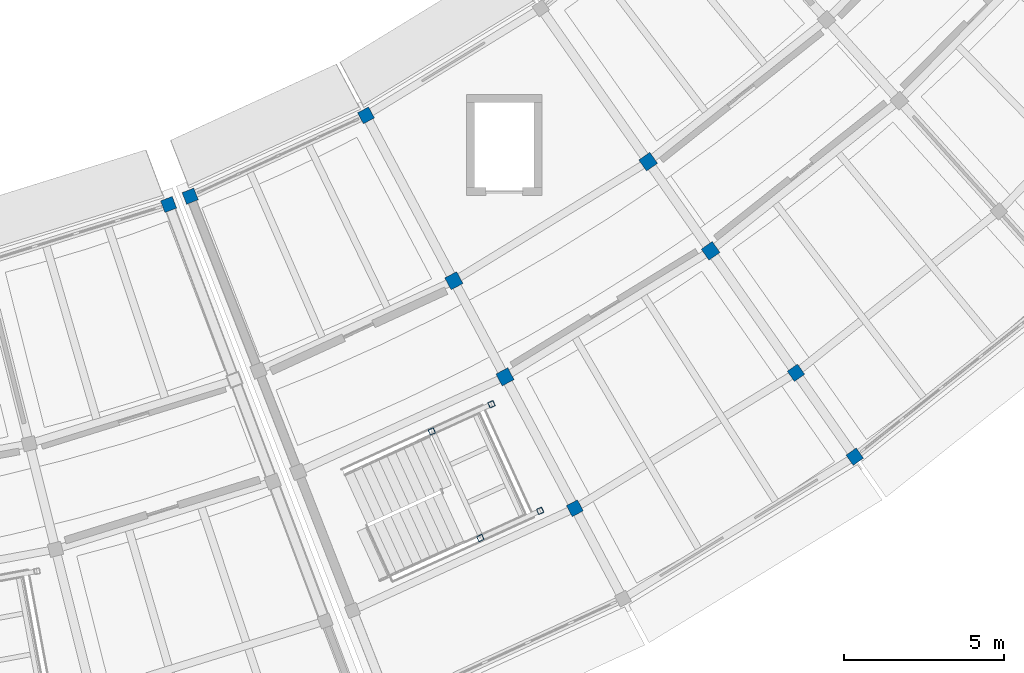
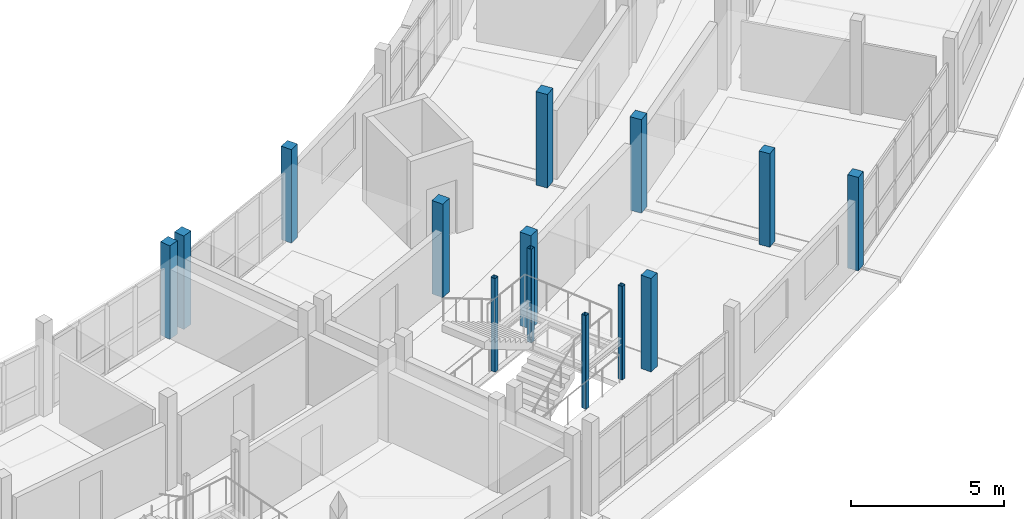
# One storey, part 9 of 66: 14 columns.
"""IFC4 building model written with IfcOpenShell, lengths in metres."""

from ifc_helpers import new_model, si_unit, direction, frame, origin, origin_2d, place, context, subcontext, project, spatial, rectangle, hollow_rectangle, extrude, material, material_profile, profile_set, type_object, element, save


model = new_model("IFC4")

# Units and contexts
model_context = context("Model", 3, precision=1e-05, world=origin(), true_north=direction((0.0, 1.0)))
body_context = subcontext(model_context, "Body", "Model", "MODEL_VIEW")
ifc_project = project(units=[si_unit("LENGTHUNIT", "METRE"), si_unit("AREAUNIT", "SQUARE_METRE"), si_unit("VOLUMEUNIT", "CUBIC_METRE"), si_unit("PLANEANGLEUNIT", "RADIAN"), si_unit("MASSUNIT", "GRAM", prefix="KILO")], contexts=[model_context])

# Site, building, storey
site_placement = place(None, origin())
site = spatial("IfcSite", under=ifc_project, at=site_placement, CompositionType="ELEMENT")
building_placement = place(site_placement, origin())
building = spatial("IfcBuilding", under=site, at=building_placement, Name="Caldaven Crescent School", CompositionType="ELEMENT")
storey_placement = place(building_placement, frame((0.0, 0.0, 8.159912109375)))
storey = spatial("IfcBuildingStorey", under=building, at=storey_placement, Name="L02", CompositionType="ELEMENT", Elevation=8.159912109375)

# Columns
ifc_material_1 = material(Name="Glulam MLE24h (GL28h)", Category="wood")
ifc_material_profile_1 = material_profile(ifc_material_1, rectangle(XDim=0.389892578125, YDim=0.389892578125, at=origin_2d()), Name="MLE 390x390")
ifc_profile_set_1 = profile_set([ifc_material_profile_1], Name="Glulam MLE24h (GL28h)")
column_type_1 = type_object("IfcColumnType", Name="COL-GL39", PredefinedType="COLUMN", material=ifc_profile_set_1)
for number, where, z_axis, x_axis, name in (
    (1, (106.458740234375, 46.905517578125, 0.0), (0.0, 0.0, 1.0), (0.352005016254, -0.93599811353, 0.0), "COL-V5-L02-06-0"),
    (2, (107.133056640625, 47.164306640625, 0.0), (0.0, 0.0, 1.0), (0.364714278886, -0.931119484694, 0.0), "COL-V4E-L02-00-0"),
    (3, (112.623779296875, 49.689453125, 0.0), (0.0, 0.0, 1.0), (0.469471562786, -0.882947592859, 0.0), "COL-V4E-L02-01-0"),
    (4, (119.1494140625, 37.41650390625, 0.0), (0.0, 0.0, 1.0), (0.469471562786, -0.882947592859, 0.0), "COL-V4E-L02-01-3"),
    (5, (126.056884765625, 41.649169921875, 0.0), (0.0, 0.0, 1.0), (0.573576436351, -0.819152044289, 0.0), "COL-V4E-L02-02-3"),
    (6, (127.892333984375, 39.028076171875, 0.0), (0.0, 0.0, 1.0), (0.573576436351, -0.819152044289, 0.0), "COL-V4E-L02-02-4"),
):
    element("IfcColumn", number, at=place(storey_placement, frame(where, z_axis=z_axis, x_axis=x_axis)), inside=storey, type_object=column_type_1, Name=name, PredefinedType="COLUMN", context=body_context, shape_type="SweptSolid", body=[
        extrude(rectangle(XDim=0.389892578125, YDim=0.389892578125, at=origin_2d()), origin(), (0.0, 0.0, 1.0), 3.739990234375),
    ])
ifc_material_profile_2 = material_profile(ifc_material_1, rectangle(XDim=0.419921875, YDim=0.419921875, at=origin_2d()), Name="MLE 420x420")
ifc_profile_set_2 = profile_set([ifc_material_profile_2], Name="Glulam MLE24h (GL28h)")
column_type_2 = type_object("IfcColumnType", Name="COL-GL42", PredefinedType="COLUMN", material=ifc_profile_set_2)
for number, where, z_axis, x_axis, name in (
    (7, (115.3701171875, 44.524169921875, 0.0), (0.0, 0.0, 1.0), (0.469471562786, -0.882947592859, 0.0), "COL-V4E-L02-01-1"),
    (8, (116.96630859375, 41.522216796875, 0.0), (0.0, 0.0, 1.0), (0.469471562786, -0.882947592859, 0.0), "COL-V4E-L02-01-2"),
    (9, (121.439453125, 48.243408203125, 0.0), (0.0, 0.0, 1.0), (0.573576436351, -0.819152044289, 0.0), "COL-V4E-L02-02-1"),
    (10, (123.3896484375, 45.458251953125, 0.0), (0.0, 0.0, 1.0), (0.573576436351, -0.819152044289, 0.0), "COL-V4E-L02-02-2"),
):
    element("IfcColumn", number, at=place(storey_placement, frame(where, z_axis=z_axis, x_axis=x_axis)), inside=storey, type_object=column_type_2, Name=name, PredefinedType="COLUMN", context=body_context, shape_type="SweptSolid", body=[
        extrude(rectangle(XDim=0.419921875, YDim=0.419921875, at=origin_2d()), origin(), (0.0, 0.0, 1.0), 3.739990234375),
    ])
ifc_material_2 = material(Name="Steel ASTM A572 Grade 50", Category="steel")
ifc_material_profile_3 = material_profile(ifc_material_2, hollow_rectangle(XDim=0.179931640625, YDim=0.179931640625, WallThickness=0.010009765625, InnerFilletRadius=0.010009765625, OuterFilletRadius=0.02001953125, at=origin_2d()), Name="HSS 180x180x10")
ifc_profile_set_3 = profile_set([ifc_material_profile_3], Name="Steel ASTM A572 Grade 50")
column_type_3 = type_object("IfcColumnType", Name="COL-HS18", PredefinedType="COLUMN", material=ifc_profile_set_3)
for number, where, z_axis, x_axis, name in (
    (11, (116.19921875, 36.4853515625, 0.0), (0.0, 0.0, 1.0), (0.909961270877, 0.414693242656, 0.0), "COL-STPOST-ST4-L02-A"),
    (12, (114.681640625, 39.81591796875, 0.0), (0.0, 0.0, 1.0), (0.909961270877, 0.414693242656, 0.0), "COL-STPOST-ST4-L02-B"),
    (13, (118.064697265625, 37.33544921875, 0.0), (0.0, 0.0, 1.0), (0.909961270877, 0.414693242656, 0.0), "COL-STPOST-ST4-L02-C"),
    (14, (116.546875, 40.666015625, 0.0), (0.0, 0.0, 1.0), (0.909961270877, 0.414693242656, 0.0), "COL-STPOST-ST4-L02-D"),
):
    element("IfcColumn", number, at=place(storey_placement, frame(where, z_axis=z_axis, x_axis=x_axis)), inside=storey, type_object=column_type_3, Name=name, PredefinedType="COLUMN", context=body_context, shape_type="SweptSolid", body=[
        extrude(hollow_rectangle(XDim=0.179931640625, YDim=0.179931640625, WallThickness=0.010009765625, InnerFilletRadius=0.010009765625, OuterFilletRadius=0.02001953125, at=origin_2d()), origin(), (0.0, 0.0, 1.0), 3.739990234375),
    ])

save(model, "model.ifc")
